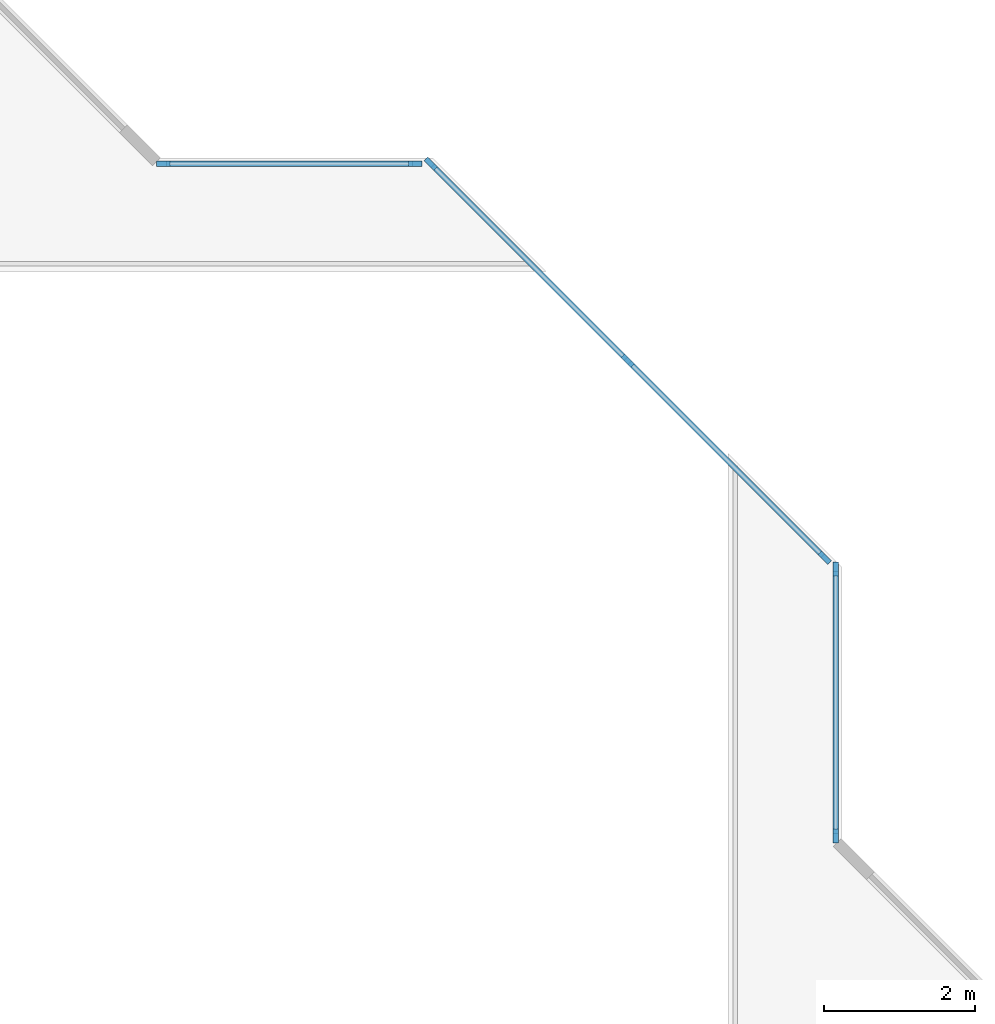
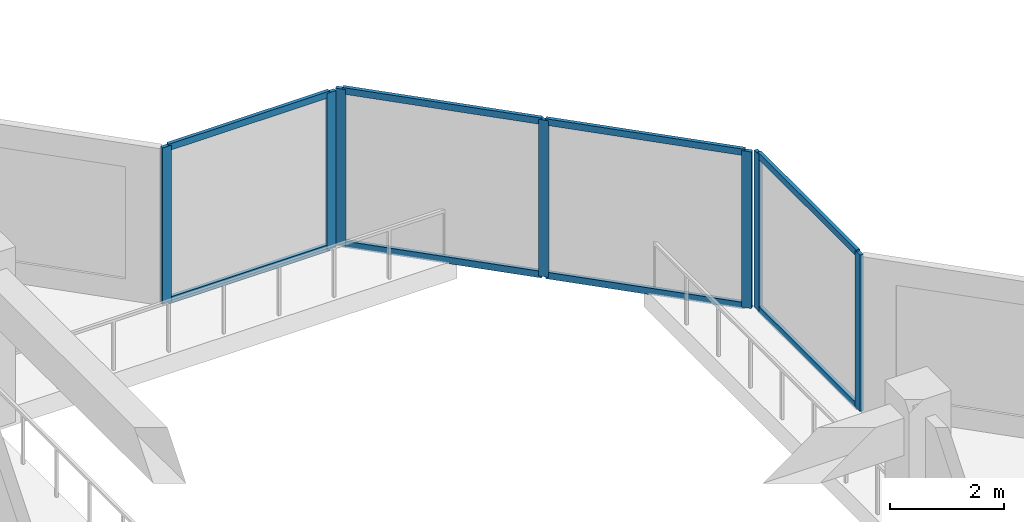
# One storey, part 2 of 16: 15 members, 3 elements without a shape of their own.
"""IFC4 building model written with IfcOpenShell, lengths in metres."""

from ifc_helpers import new_model, si_unit, direction, frame, origin, origin_2d, place, context, subcontext, project, spatial, rectangle, extrude, material, layer, layer_set, material_profile, profile_set, type_object, element, aggregate, save


model = new_model("IFC4")

# Units and contexts
model_context = context("Model", 3, precision=1e-05, world=origin(), true_north=direction((0.0, 1.0)))
body_context = subcontext(model_context, "Body", "Model", "MODEL_VIEW")
ifc_project = project(units=[si_unit("LENGTHUNIT", "METRE"), si_unit("AREAUNIT", "SQUARE_METRE"), si_unit("VOLUMEUNIT", "CUBIC_METRE"), si_unit("PLANEANGLEUNIT", "RADIAN"), si_unit("MASSUNIT", "GRAM", prefix="KILO")], contexts=[model_context])

# Site, building, storey
site_placement = place(None, origin())
site = spatial("IfcSite", under=ifc_project, at=site_placement, CompositionType="ELEMENT")
building_placement = place(site_placement, origin())
building = spatial("IfcBuilding", under=site, at=building_placement, Name="Chenar Terraces", CompositionType="ELEMENT")
storey_placement = place(building_placement, frame((0.0, 0.0, 222.89990234375)))
storey = spatial("IfcBuildingStorey", under=building, at=storey_placement, Name="L52", CompositionType="ELEMENT", Elevation=222.89990234375)

# Curtain wall, members
ifc_material_1 = material(Name="Aluminium framed glazing", Category="aluminium")
ifc_layer = layer(ifc_material_1, 0.14990234375)
ifc_layer_set = layer_set([ifc_layer], Name="Aluminium framed glazing")
curtain_wall_type = type_object("IfcCurtainWallType", Name="Atrium mid-zone curtain wall", PredefinedType="NOTDEFINED", material=ifc_layer_set)
placement = place(storey_placement, origin())
curtain_wall_1 = element("IfcCurtainWall", 1, at=placement, inside=storey, type_object=curtain_wall_type, Name="Atrium mid-zone curtain wall", PredefinedType="NOTDEFINED")
ifc_material_2 = material(Name="Aluminium", Category="aluminium")
ifc_material_profile_1 = material_profile(ifc_material_2, rectangle(XDim=0.070068359375, YDim=0.179931640625, at=origin_2d()), Name="Atrium mid-zone glazing mullion 70 x 180")
ifc_profile_set_1 = profile_set([ifc_material_profile_1], Name="Aluminium")
member_type_1 = type_object("IfcMemberType", Name="Atrium mid-zone glazing mullion 70 x 180", PredefinedType="MULLION", material=ifc_profile_set_1)
member_1_placement = place(storey_placement, frame((37.425048828125, 28.534912109375, 0.0), z_axis=(0.0, 0.0, 1.0), x_axis=(-1.0, 0.0, 0.0)))
member_1 = element("IfcMember", 2, at=member_1_placement, type_object=member_type_1, Name="CW7-1 mullion 1", PredefinedType="MULLION", context=body_context, shape_type="SweptSolid", body=[
    extrude(rectangle(XDim=0.070068359375, YDim=0.179931640625, at=origin_2d()), origin(), (0.0, 0.0, 1.0), 3.35009765625),
])
member_2_placement = place(storey_placement, frame((37.425048828125, 32.06494140625, 0.0), z_axis=(0.0, 0.0, 1.0), x_axis=(-1.0, 0.0, 0.0)))
member_2 = element("IfcMember", 3, at=member_2_placement, type_object=member_type_1, Name="CW7-1 mullion 2", PredefinedType="MULLION", context=body_context, shape_type="SweptSolid", body=[
    extrude(rectangle(XDim=0.070068359375, YDim=0.179931640625, at=origin_2d()), origin(), (0.0, 0.0, 1.0), 3.35009765625),
])

curtain_wall_2 = element("IfcCurtainWall", 4, at=placement, inside=storey, type_object=curtain_wall_type, Name="Atrium mid-zone curtain wall", PredefinedType="NOTDEFINED")
member_3_placement = place(storey_placement, frame((37.28076171875, 32.213134765625, 0.0), z_axis=(0.0, 0.0, 1.0), x_axis=(-0.707106781187, -0.707106781187, 0.0)))
member_3 = element("IfcMember", 5, at=member_3_placement, type_object=member_type_1, Name="CW7-2 mullion 1", PredefinedType="MULLION", context=body_context, shape_type="SweptSolid", body=[
    extrude(rectangle(XDim=0.070068359375, YDim=0.179931640625, at=origin_2d()), origin(), (0.0, 0.0, 1.0), 3.35009765625),
])
member_4_placement = place(storey_placement, frame((34.67626953125, 34.817626953125, 0.0), z_axis=(0.0, 0.0, 1.0), x_axis=(-0.707106781187, -0.707106781187, 0.0)))
member_4 = element("IfcMember", 6, at=member_4_placement, type_object=member_type_1, Name="CW7-2 mullion 2", PredefinedType="MULLION", context=body_context, shape_type="SweptSolid", body=[
    extrude(rectangle(XDim=0.070068359375, YDim=0.179931640625, at=origin_2d()), origin(), (0.0, 0.0, 1.0), 3.35009765625),
])
member_5_placement = place(storey_placement, frame((32.07177734375, 37.42236328125, 0.0), z_axis=(0.0, 0.0, 1.0), x_axis=(-0.707106781187, -0.707106781187, 0.0)))
member_5 = element("IfcMember", 7, at=member_5_placement, type_object=member_type_1, Name="CW7-2 mullion 3", PredefinedType="MULLION", context=body_context, shape_type="SweptSolid", body=[
    extrude(rectangle(XDim=0.070068359375, YDim=0.179931640625, at=origin_2d()), origin(), (0.0, 0.0, 1.0), 3.35009765625),
])

curtain_wall_3 = element("IfcCurtainWall", 8, at=placement, inside=storey, type_object=curtain_wall_type, Name="Atrium mid-zone curtain wall", PredefinedType="NOTDEFINED")
member_6_placement = place(storey_placement, frame((31.864990234375, 37.425048828125, 0.0), z_axis=(0.0, 0.0, 1.0), x_axis=(0.0, -1.0, 0.0)))
member_6 = element("IfcMember", 9, at=member_6_placement, type_object=member_type_1, Name="CW7-3 mullion 1", PredefinedType="MULLION", context=body_context, shape_type="SweptSolid", body=[
    extrude(rectangle(XDim=0.070068359375, YDim=0.179931640625, at=origin_2d()), origin(), (0.0, 0.0, 1.0), 3.35009765625),
])
member_7_placement = place(storey_placement, frame((28.534912109375, 37.425048828125, 0.0), z_axis=(0.0, 0.0, 1.0), x_axis=(0.0, -1.0, 0.0)))
member_7 = element("IfcMember", 10, at=member_7_placement, type_object=member_type_1, Name="CW7-3 mullion 2", PredefinedType="MULLION", context=body_context, shape_type="SweptSolid", body=[
    extrude(rectangle(XDim=0.070068359375, YDim=0.179931640625, at=origin_2d()), origin(), (0.0, 0.0, 1.0), 3.35009765625),
])

# Member
ifc_material_3 = material(Name="Aluminium", Category="aluminium")
ifc_material_profile_2 = material_profile(ifc_material_3, rectangle(XDim=0.070068359375, YDim=0.139892578125, at=origin_2d()), Name="Atrium mid-zone glazing transom 70 x 140")
ifc_profile_set_2 = profile_set([ifc_material_profile_2], Name="Aluminium")
member_type_2 = type_object("IfcMemberType", Name="Atrium mid-zone glazing transom 70 x 140", PredefinedType="USERDEFINED", material=ifc_profile_set_2)
member_8_placement = place(storey_placement, frame((37.425048828125, 28.570068359375, 0.03515625), z_axis=(0.0, 1.0, 0.0), x_axis=(-1.0, 0.0, 0.0)))
member_8 = element("IfcMember", 11, at=member_8_placement, type_object=member_type_2, Name="CW7-1 transom 1.1", ObjectType="TRANSOM", PredefinedType="USERDEFINED", context=body_context, shape_type="SweptSolid", body=[
    extrude(rectangle(XDim=0.070068359375, YDim=0.139892578125, at=origin_2d()), origin(), (0.0, 0.0, 1.0), 3.4599609375),
])

member_9_placement = place(storey_placement, frame((37.425048828125, 28.570068359375, 3.315185546875), z_axis=(0.0, 1.0, 0.0), x_axis=(-1.0, 0.0, 0.0)))
member_9 = element("IfcMember", 12, at=member_9_placement, type_object=member_type_2, Name="CW7-1 transom 1.2", ObjectType="TRANSOM", PredefinedType="USERDEFINED", context=body_context, shape_type="SweptSolid", body=[
    extrude(rectangle(XDim=0.070068359375, YDim=0.139892578125, at=origin_2d()), origin(), (0.0, 0.0, 1.0), 3.4599609375),
])

aggregate(curtain_wall_1, [member_1, member_2, member_8, member_9])

member_10_placement = place(storey_placement, frame((37.256103515625, 32.23779296875, 0.03515625), z_axis=(-0.707106781187, 0.707106781187, 0.0), x_axis=(-0.707106781187, -0.707106781187, 0.0)))
member_10 = element("IfcMember", 13, at=member_10_placement, type_object=member_type_2, Name="CW7-2 transom 1.1", ObjectType="TRANSOM", PredefinedType="USERDEFINED", context=body_context, shape_type="SweptSolid", body=[
    extrude(rectangle(XDim=0.070068359375, YDim=0.139892578125, at=origin_2d()), origin(), (0.0, 0.0, 1.0), 3.613525390625),
])

member_11_placement = place(storey_placement, frame((37.256103515625, 32.23779296875, 3.315185546875), z_axis=(-0.707106781187, 0.707106781187, 0.0), x_axis=(-0.707106781187, -0.707106781187, 0.0)))
member_11 = element("IfcMember", 14, at=member_11_placement, type_object=member_type_2, Name="CW7-2 transom 1.2", ObjectType="TRANSOM", PredefinedType="USERDEFINED", context=body_context, shape_type="SweptSolid", body=[
    extrude(rectangle(XDim=0.070068359375, YDim=0.139892578125, at=origin_2d()), origin(), (0.0, 0.0, 1.0), 3.613525390625),
])

member_12_placement = place(storey_placement, frame((34.651611328125, 34.842529296875, 0.03515625), z_axis=(-0.707140563131, 0.707072997628, 0.0), x_axis=(-0.707072997628, -0.707140563131, 0.0)))
member_12 = element("IfcMember", 15, at=member_12_placement, type_object=member_type_2, Name="CW7-2 transom 2.1", ObjectType="TRANSOM", PredefinedType="USERDEFINED", context=body_context, shape_type="SweptSolid", body=[
    extrude(rectangle(XDim=0.070068359375, YDim=0.139892578125, at=origin_2d()), origin(), (0.0, 0.0, 1.0), 3.61328125),
])

member_13_placement = place(storey_placement, frame((34.651611328125, 34.842529296875, 3.315185546875), z_axis=(-0.707140563131, 0.707072997628, 0.0), x_axis=(-0.707072997628, -0.707140563131, 0.0)))
member_13 = element("IfcMember", 16, at=member_13_placement, type_object=member_type_2, Name="CW7-2 transom 2.2", ObjectType="TRANSOM", PredefinedType="USERDEFINED", context=body_context, shape_type="SweptSolid", body=[
    extrude(rectangle(XDim=0.070068359375, YDim=0.139892578125, at=origin_2d()), origin(), (0.0, 0.0, 1.0), 3.61328125),
])

aggregate(curtain_wall_2, [member_3, member_4, member_5, member_10, member_11, member_12, member_13])

member_14_placement = place(storey_placement, frame((31.830078125, 37.425048828125, 0.03515625), z_axis=(-1.0, 0.0, 0.0), x_axis=(0.0, -1.0, 0.0)))
member_14 = element("IfcMember", 17, at=member_14_placement, type_object=member_type_2, Name="CW7-3 transom 1.1", ObjectType="TRANSOM", PredefinedType="USERDEFINED", context=body_context, shape_type="SweptSolid", body=[
    extrude(rectangle(XDim=0.070068359375, YDim=0.139892578125, at=origin_2d()), origin(), (0.0, 0.0, 1.0), 3.260009765625),
])

member_15_placement = place(storey_placement, frame((31.830078125, 37.425048828125, 3.315185546875), z_axis=(-1.0, 0.0, 0.0), x_axis=(0.0, -1.0, 0.0)))
member_15 = element("IfcMember", 18, at=member_15_placement, type_object=member_type_2, Name="CW7-3 transom 1.2", ObjectType="TRANSOM", PredefinedType="USERDEFINED", context=body_context, shape_type="SweptSolid", body=[
    extrude(rectangle(XDim=0.070068359375, YDim=0.139892578125, at=origin_2d()), origin(), (0.0, 0.0, 1.0), 3.260009765625),
])

aggregate(curtain_wall_3, [member_6, member_7, member_14, member_15])

save(model, "model.ifc")
